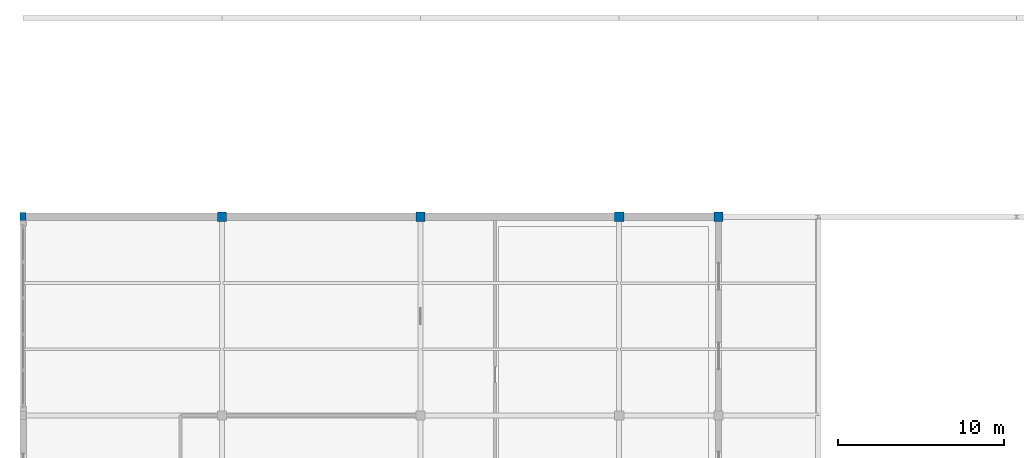
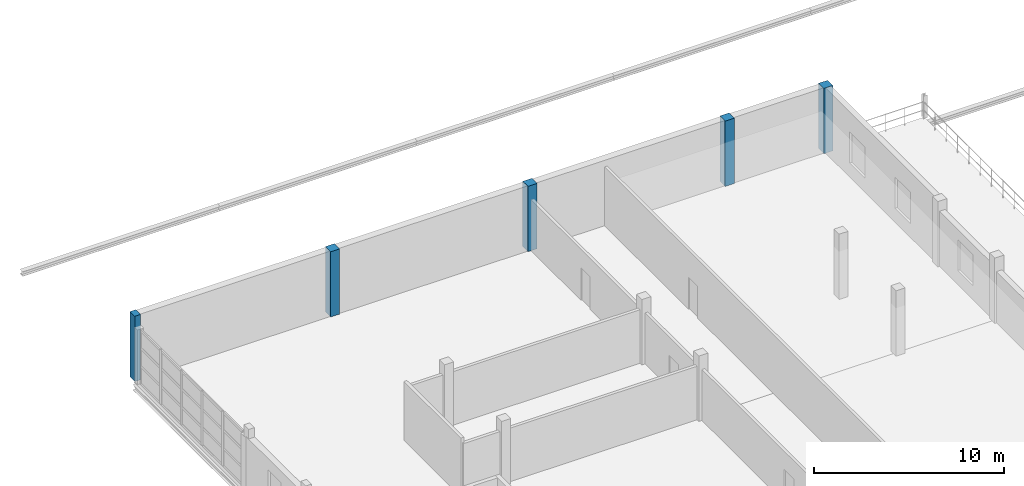
# One storey, part 5 of 86: 5 columns.
"""IFC4 building model written with IfcOpenShell, lengths in metres."""

from ifc_helpers import new_model, si_unit, direction, frame, origin, origin_2d, place, context, subcontext, project, spatial, rectangle, extrude, material, material_profile, profile_set, type_object, element, save


model = new_model("IFC4")

# Units and contexts
model_context = context("Model", 3, precision=1e-05, world=origin(), true_north=direction((0.0, 1.0)))
body_context = subcontext(model_context, "Body", "Model", "MODEL_VIEW")
ifc_project = project(units=[si_unit("LENGTHUNIT", "METRE"), si_unit("AREAUNIT", "SQUARE_METRE"), si_unit("VOLUMEUNIT", "CUBIC_METRE"), si_unit("PLANEANGLEUNIT", "RADIAN"), si_unit("MASSUNIT", "GRAM", prefix="KILO")], contexts=[model_context])

# Site, building, storey
site_placement = place(None, origin())
site = spatial("IfcSite", under=ifc_project, at=site_placement, CompositionType="ELEMENT")
building_placement = place(site_placement, origin())
building = spatial("IfcBuilding", under=site, at=building_placement, Name="Zilviju Railside Exhibition Hall", CompositionType="ELEMENT")
storey_placement = place(building_placement, frame((0.0, 0.0, 12.60009765625)))
storey = spatial("IfcBuildingStorey", under=building, at=storey_placement, Name="L04", CompositionType="ELEMENT", Elevation=12.60009765625)

# Columns
ifc_material = material(Name="Concrete C35/45", Category="concrete")
ifc_material_profile_1 = material_profile(ifc_material, rectangle(XDim=0.550048828125, YDim=0.550048828125, at=origin_2d()), Name="RC COL 550x550")
ifc_profile_set_1 = profile_set([ifc_material_profile_1], Name="Concrete C35/45")
column_type_1 = type_object("IfcColumnType", Name="COL-RC-550", PredefinedType="COLUMN", material=ifc_profile_set_1)
for number, where, z_axis, x_axis, name in (
    (1, (12.0, 138.0, 0.0), (0.0, 0.0, 1.0), (1.0, 0.0, 0.0), "Structural Column L04 (12.0, 138.0)"),
    (2, (24.0, 138.0, 0.0), (0.0, 0.0, 1.0), (1.0, 0.0, 0.0), "Structural Column L04 (24.0, 138.0)"),
    (3, (36.0, 138.0, 0.0), (0.0, 0.0, 1.0), (1.0, 0.0, 0.0), "Structural Column L04 (36.0, 138.0)"),
    (4, (42.0, 138.0, 0.0), (0.0, 0.0, 1.0), (1.0, 0.0, 0.0), "Structural Column L04 (42.0, 138.0)"),
):
    element("IfcColumn", number, at=place(storey_placement, frame(where, z_axis=z_axis, x_axis=x_axis)), inside=storey, type_object=column_type_1, Name=name, PredefinedType="COLUMN", context=body_context, shape_type="SweptSolid", body=[
        extrude(rectangle(XDim=0.550048828125, YDim=0.550048828125, at=origin_2d()), origin(), (0.0, 0.0, 1.0), 4.199951171875),
    ])
ifc_material_profile_2 = material_profile(ifc_material, rectangle(XDim=0.35009765625, YDim=0.5, at=origin_2d()), Name="RC COL 350x500")
ifc_profile_set_2 = profile_set([ifc_material_profile_2], Name="Concrete C35/45")
column_type_2 = type_object("IfcColumnType", Name="PIL-RC-500x350", PredefinedType="PILASTER", material=ifc_profile_set_2)
column_placement = place(storey_placement, frame((0.0, 138.0, 0.0), z_axis=(0.0, 0.0, 1.0), x_axis=(1.0, 0.0, 0.0)))
element("IfcColumn", 5, at=column_placement, inside=storey, type_object=column_type_2, Name="Structural Column L04 (0.0, 138.0)", PredefinedType="PILASTER", context=body_context, shape_type="SweptSolid", body=[
    extrude(rectangle(XDim=0.35009765625, YDim=0.5, at=origin_2d()), origin(), (0.0, 0.0, 1.0), 4.199951171875),
])

save(model, "model.ifc")
